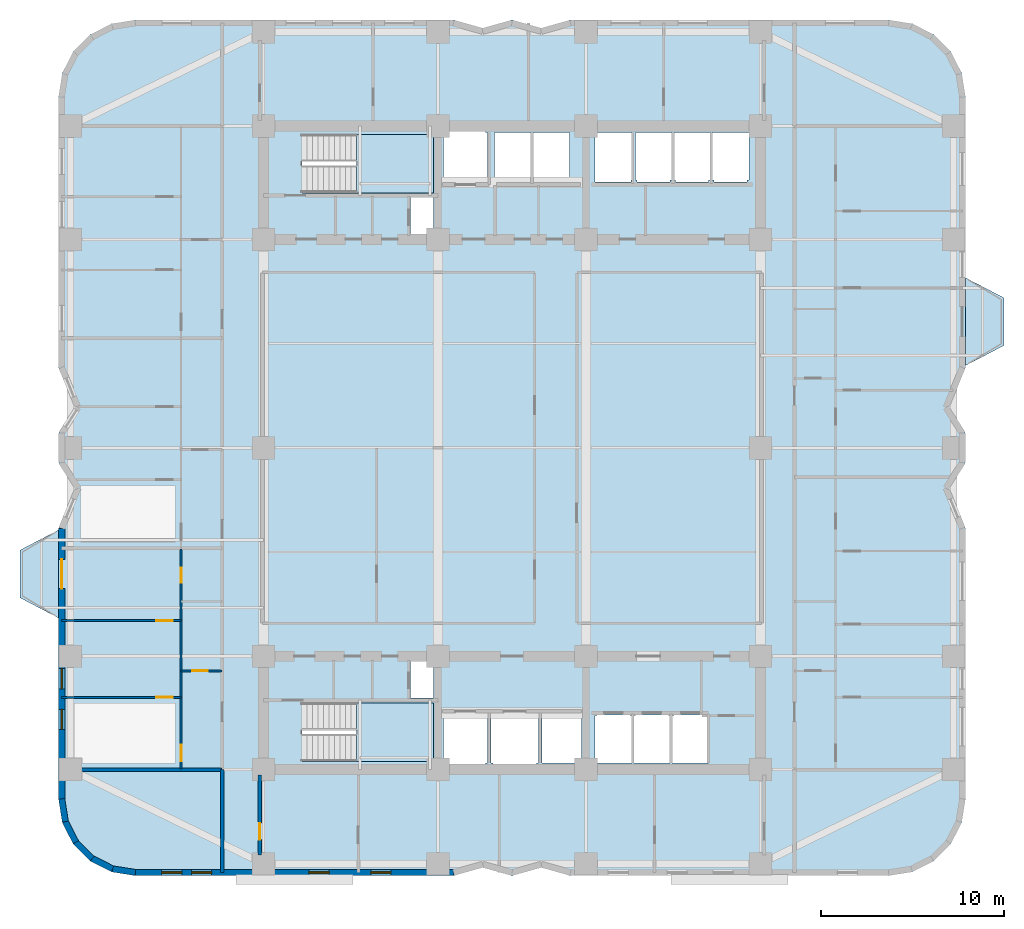
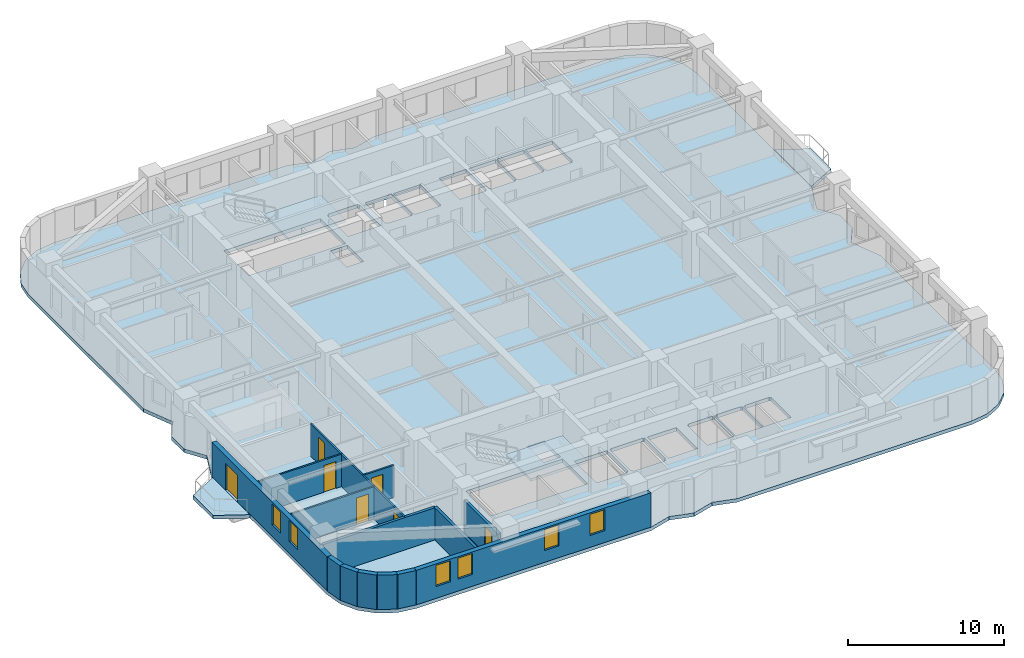
# One storey, part 2 of 11: 14 walls, 7 doors, 6 windows, 5 slabs, 13 openings, 2 elements without a shape of their own.
"""IFC4 building model written with IfcOpenShell, lengths in metres."""

from ifc_helpers import new_model, si_unit, direction, frame, frame_2d, origin, place, context, subcontext, project, spatial, polyline, rectangle, outline, extrude, material, layer, layer_set, type_object, element, fill, aggregate, save


model = new_model("IFC4")

# Units and contexts
model_context = context("Model", 3, precision=1e-05, world=origin(), true_north=direction((0.0, 1.0)))
body_context = subcontext(model_context, "Body", "Model", "MODEL_VIEW")
ifc_project = project(units=[si_unit("LENGTHUNIT", "METRE"), si_unit("AREAUNIT", "SQUARE_METRE"), si_unit("VOLUMEUNIT", "CUBIC_METRE"), si_unit("PLANEANGLEUNIT", "RADIAN"), si_unit("MASSUNIT", "GRAM", prefix="KILO")], contexts=[model_context])

# Site, building, storey
site_placement = place(None, origin())
site = spatial("IfcSite", under=ifc_project, at=site_placement, CompositionType="ELEMENT")
building_placement = place(site_placement, origin())
building = spatial("IfcBuilding", under=site, at=building_placement, Name="Svetorya Sky Lyceum", CompositionType="ELEMENT")
storey_placement = place(building_placement, frame((0.0, 0.0, 36.199951171875)))
storey = spatial("IfcBuildingStorey", under=building, at=storey_placement, Name="L08", CompositionType="ELEMENT", Elevation=36.199951171875)

# Slabs
ifc_material_1 = material(Name="Concrete C40/50", Category="concrete")
ifc_layer_1 = layer(ifc_material_1, 0.280029296875)
ifc_layer_set_1 = layer_set([ifc_layer_1], Name="Concrete C40/50")
slab_type_1 = type_object("IfcSlabType", Name="SL-BAL-280", PredefinedType="FLOOR", material=ifc_layer_set_1)
slab_1_placement = place(storey_placement, frame((0.0, 0.0, -0.280029296875)))
element("IfcSlab", 1, at=slab_1_placement, inside=storey, type_object=slab_type_1, Name="L08 Chamfered Loggia Balcony BAL-W1", PredefinedType="FLOOR", context=body_context, shape_type="SweptSolid", body=[
    extrude(outline(polyline([(14.389892578125, 18.89990234375), (14.389892578125, 23.699951171875), (12.2900390625, 22.60009765625), (12.2900390625, 20.0), (14.389892578125, 18.89990234375)])), origin(), (0.0, 0.0, 1.0), 0.280029296875),
])
slab_2_placement = place(storey_placement, frame((0.0, 0.0, -0.280029296875)))
element("IfcSlab", 2, at=slab_2_placement, inside=storey, type_object=slab_type_1, Name="L08 Chamfered Loggia Balcony BAL-E1", PredefinedType="FLOOR", context=body_context, shape_type="SweptSolid", body=[
    extrude(outline(polyline([(64.010009765625, 32.699951171875), (66.110107421875, 33.800048828125), (66.110107421875, 36.39990234375), (64.010009765625, 37.5), (64.010009765625, 32.699951171875)])), origin(), (0.0, 0.0, 1.0), 0.280029296875),
])

# Stair, slab
stair_type_1 = type_object("IfcStairType", Name="STR-ST-S", PredefinedType="HALF_TURN_STAIR", material=ifc_material_1)
stair_1_placement = place(storey_placement, origin())
stair_1 = element("IfcStair", 3, at=stair_1_placement, inside=storey, type_object=stair_type_1, Name="L08 South Core Smoke-Free Exit Stair N2", PredefinedType="HALF_TURN_STAIR")
ifc_layer_2 = layer(ifc_material_1, 0.199951171875)
ifc_layer_set_2 = layer_set([ifc_layer_2], Name="Concrete C40/50")
slab_type_2 = type_object("IfcSlabType", Name="SL-STR-LAND-200", PredefinedType="LANDING", material=ifc_layer_set_2)
slab_3_placement = place(storey_placement, frame((0.0, 0.0, 1.650146484375)))
slab_3 = element("IfcSlab", 4, at=slab_3_placement, type_object=slab_type_2, Name="ST-S landing 1", PredefinedType="LANDING", context=body_context, shape_type="SweptSolid", body=[
    extrude(outline(polyline([(30.699951171875, 11.050048828125), (34.89990234375, 11.050048828125), (34.89990234375, 14.25), (30.699951171875, 14.25), (30.699951171875, 11.050048828125)])), origin(), (0.0, 0.0, 1.0), 0.199951171875),
])
aggregate(stair_1, [slab_3])

stair_type_2 = type_object("IfcStairType", Name="STR-ST-N", PredefinedType="HALF_TURN_STAIR", material=ifc_material_1)
stair_2_placement = place(storey_placement, origin())
stair_2 = element("IfcStair", 5, at=stair_2_placement, inside=storey, type_object=stair_type_2, Name="L08 North Core Smoke-Free Exit Stair N3", PredefinedType="HALF_TURN_STAIR")
slab_4_placement = place(storey_placement, frame((0.0, 0.0, 1.650146484375)))
slab_4 = element("IfcSlab", 6, at=slab_4_placement, type_object=slab_type_2, Name="ST-N landing 1", PredefinedType="LANDING", context=body_context, shape_type="SweptSolid", body=[
    extrude(outline(polyline([(30.699951171875, 42.14990234375), (34.89990234375, 42.14990234375), (34.89990234375, 45.35009765625), (30.699951171875, 45.35009765625), (30.699951171875, 42.14990234375)])), origin(), (0.0, 0.0, 1.0), 0.199951171875),
])
aggregate(stair_2, [slab_4])

# Slab
ifc_material_2 = material(Name="Concrete C50/60", Category="concrete")
ifc_layer_3 = layer(ifc_material_2, 0.280029296875)
ifc_layer_set_3 = layer_set([ifc_layer_3], Name="Concrete C50/60")
slab_type_3 = type_object("IfcSlabType", Name="SL-TWR-280", PredefinedType="FLOOR", material=ifc_layer_set_3)
slab_5_placement = place(storey_placement, frame((0.0, 0.0, -0.280029296875)))
element("IfcSlab", 7, at=slab_5_placement, inside=storey, type_object=slab_type_3, Name="L08 Structural Floor Slab", PredefinedType="FLOOR", context=body_context, shape_type="SweptSolid", body=[
    extrude(outline(polyline([(14.39990234375, 9.0), (14.605712890625, 7.7021484375), (15.2021484375, 6.53125), (16.13134765625, 5.60205078125), (17.302001953125, 5.005615234375), (18.60009765625, 4.800048828125), (36.0, 4.800048828125), (37.60009765625, 5.25), (39.199951171875, 4.800048828125), (40.800048828125, 5.25), (42.39990234375, 4.800048828125), (59.800048828125, 4.800048828125), (61.097900390625, 5.005615234375), (62.268798828125, 5.60205078125), (63.197998046875, 6.53125), (63.79443359375, 7.7021484375), (64.0, 9.0), (64.0, 23.800048828125), (63.10009765625, 26.0), (64.0, 27.39990234375), (64.0, 29.0), (63.10009765625, 30.39990234375), (64.0, 32.60009765625), (64.0, 47.39990234375), (63.79443359375, 48.697998046875), (63.197998046875, 49.86865234375), (62.268798828125, 50.7978515625), (61.097900390625, 51.394287109375), (59.800048828125, 51.60009765625), (42.39990234375, 51.60009765625), (40.800048828125, 51.14990234375), (39.199951171875, 51.60009765625), (37.60009765625, 51.14990234375), (36.0, 51.60009765625), (18.60009765625, 51.60009765625), (17.302001953125, 51.394287109375), (16.13134765625, 50.7978515625), (15.2021484375, 49.86865234375), (14.605712890625, 48.697998046875), (14.39990234375, 47.39990234375), (14.39990234375, 32.60009765625), (15.300048828125, 30.39990234375), (14.39990234375, 29.0), (14.39990234375, 27.39990234375), (15.300048828125, 26.0), (14.39990234375, 23.800048828125), (14.39990234375, 9.0)]), holes=[polyline([(35.550048828125, 13.64990234375), (37.75, 13.64990234375), (37.85009765625, 13.64990234375), (37.85009765625, 10.949951171875), (37.75, 10.949951171875), (37.75, 10.85009765625), (35.550048828125, 10.85009765625), (35.550048828125, 10.949951171875), (35.449951171875, 10.949951171875), (35.449951171875, 13.64990234375), (35.550048828125, 13.64990234375)]), polyline([(40.64990234375, 10.949951171875), (40.550048828125, 10.949951171875), (40.550048828125, 10.800048828125), (38.14990234375, 10.800048828125), (38.14990234375, 10.949951171875), (38.050048828125, 10.949951171875), (38.050048828125, 13.64990234375), (38.14990234375, 13.64990234375), (38.14990234375, 13.699951171875), (40.550048828125, 13.699951171875), (40.550048828125, 13.64990234375), (40.64990234375, 13.64990234375), (40.64990234375, 10.949951171875)]), polyline([(40.85009765625, 13.64990234375), (43.0, 13.64990234375), (43.0, 10.949951171875), (40.85009765625, 10.949951171875), (40.85009765625, 13.64990234375)]), polyline([(27.719970703125, 14.25), (34.89990234375, 14.25), (34.89990234375, 11.050048828125), (27.719970703125, 11.050048828125), (27.719970703125, 14.25)]), polyline([(33.64990234375, 16.580078125), (34.89990234375, 16.580078125), (34.89990234375, 14.52001953125), (33.64990234375, 14.52001953125), (33.64990234375, 16.580078125)]), polyline([(33.64990234375, 39.820068359375), (33.64990234375, 41.89990234375), (34.89990234375, 41.89990234375), (34.89990234375, 39.820068359375), (33.64990234375, 39.820068359375)]), polyline([(27.719970703125, 45.35009765625), (34.89990234375, 45.35009765625), (34.89990234375, 42.14990234375), (27.719970703125, 42.14990234375), (27.719970703125, 45.35009765625)]), polyline([(35.550048828125, 42.75), (35.449951171875, 42.75), (35.449951171875, 45.449951171875), (35.550048828125, 45.449951171875), (35.550048828125, 45.550048828125), (37.75, 45.550048828125), (37.75, 45.449951171875), (37.85009765625, 45.449951171875), (37.85009765625, 42.75), (37.75, 42.75), (35.550048828125, 42.75)]), polyline([(40.199951171875, 42.85009765625), (40.199951171875, 42.75), (38.39990234375, 42.75), (38.39990234375, 42.85009765625), (38.25, 42.85009765625), (38.25, 45.449951171875), (38.39990234375, 45.449951171875), (40.199951171875, 45.449951171875), (40.25, 45.449951171875), (40.25, 42.85009765625), (40.199951171875, 42.85009765625)]), polyline([(40.39990234375, 42.85009765625), (40.35009765625, 42.85009765625), (40.35009765625, 45.449951171875), (40.39990234375, 45.449951171875), (42.300048828125, 45.449951171875), (42.35009765625, 45.449951171875), (42.35009765625, 42.85009765625), (42.300048828125, 42.85009765625), (42.300048828125, 42.75), (40.39990234375, 42.75), (40.39990234375, 42.85009765625)]), polyline([(43.85009765625, 10.949951171875), (43.75, 10.949951171875), (43.75, 13.550048828125), (43.85009765625, 13.550048828125), (43.85009765625, 13.60009765625), (45.64990234375, 13.60009765625), (45.64990234375, 13.550048828125), (45.75, 13.550048828125), (45.75, 10.949951171875), (45.64990234375, 10.949951171875), (43.85009765625, 10.949951171875)]), polyline([(45.949951171875, 10.949951171875), (45.85009765625, 10.949951171875), (45.85009765625, 13.550048828125), (45.949951171875, 13.550048828125), (45.949951171875, 13.60009765625), (47.75, 13.60009765625), (47.75, 13.550048828125), (47.85009765625, 13.550048828125), (47.85009765625, 10.949951171875), (47.75, 10.949951171875), (45.949951171875, 10.949951171875)]), polyline([(49.85009765625, 13.550048828125), (49.949951171875, 13.550048828125), (49.949951171875, 10.949951171875), (49.85009765625, 10.949951171875), (48.050048828125, 10.949951171875), (47.949951171875, 10.949951171875), (47.949951171875, 13.550048828125), (48.050048828125, 13.550048828125), (48.050048828125, 13.60009765625), (49.85009765625, 13.60009765625), (49.85009765625, 13.550048828125)]), polyline([(43.75, 42.85009765625), (43.75, 45.449951171875), (45.699951171875, 45.449951171875), (45.75, 45.449951171875), (45.75, 42.85009765625), (45.699951171875, 42.85009765625), (45.699951171875, 42.75), (43.75, 42.75), (43.75, 42.85009765625)]), polyline([(46.050048828125, 42.85009765625), (45.949951171875, 42.85009765625), (45.949951171875, 45.449951171875), (46.050048828125, 45.449951171875), (47.85009765625, 45.449951171875), (47.949951171875, 45.449951171875), (47.949951171875, 42.85009765625), (47.85009765625, 42.85009765625), (47.85009765625, 42.75), (46.050048828125, 42.75), (46.050048828125, 42.85009765625)]), polyline([(48.14990234375, 42.85009765625), (48.050048828125, 42.85009765625), (48.050048828125, 45.449951171875), (48.14990234375, 45.449951171875), (49.949951171875, 45.449951171875), (50.050048828125, 45.449951171875), (50.050048828125, 42.85009765625), (49.949951171875, 42.85009765625), (49.949951171875, 42.75), (48.14990234375, 42.75), (48.14990234375, 42.85009765625)]), polyline([(50.25, 42.85009765625), (50.14990234375, 42.85009765625), (50.14990234375, 45.449951171875), (50.25, 45.449951171875), (52.050048828125, 45.449951171875), (52.14990234375, 45.449951171875), (52.14990234375, 42.85009765625), (52.050048828125, 42.85009765625), (52.050048828125, 42.75), (50.25, 42.75), (50.25, 42.85009765625)])]), origin(), (0.0, 0.0, 1.0), 0.280029296875),
])

# Walls
ifc_material_3 = material(Name="Putilovo limestone rainscreen on autoclaved cellular masonry", Category="masonry")
ifc_layer_4 = layer(ifc_material_3, 0.340087890625)
ifc_layer_set_4 = layer_set([ifc_layer_4], Name="Putilovo limestone rainscreen on autoclaved cellular masonry")
wall_type_1 = type_object("IfcWallType", Name="WL-EXT-340", PredefinedType="SOLIDWALL", material=ifc_layer_set_4)
wall_1_placement = place(storey_placement, frame((14.570068359375, 9.0, 0.0), z_axis=(0.0, 0.0, 1.0), x_axis=(0.156260864002, -0.98771582066, 0.0)))
element("IfcWall", 8, at=wall_1_placement, inside=storey, type_object=wall_type_1, Name="L08 Limestone Exterior Wall 1M", PredefinedType="SOLIDWALL", context=body_context, shape_type="SweptSolid", body=[
    extrude(rectangle(XDim=1.2607421875, YDim=0.340087890625, at=frame_2d((0.63037109375, 0.0))), origin(), (0.0, 0.0, 1.0), 2.699951171875),
])
wall_2_placement = place(storey_placement, frame((14.76708984375, 7.754638671875, 0.0), z_axis=(0.0, 0.0, 1.0), x_axis=(0.454015689056, -0.890993689142, 0.0)))
element("IfcWall", 9, at=wall_2_placement, inside=storey, type_object=wall_type_1, Name="L08 Limestone Exterior Wall 2M", PredefinedType="SOLIDWALL", context=body_context, shape_type="SweptSolid", body=[
    extrude(rectangle(XDim=1.260986328125, YDim=0.340087890625, at=frame_2d((0.63037109375, 0.0))), origin(), (0.0, 0.0, 1.0), 2.699951171875),
])
wall_3_placement = place(storey_placement, frame((15.339599609375, 6.631103515625, 0.0), z_axis=(0.0, 0.0, 1.0), x_axis=(0.707203598708, -0.707009950407, 0.0)))
element("IfcWall", 10, at=wall_3_placement, inside=storey, type_object=wall_type_1, Name="L08 Limestone Exterior Wall 3M", PredefinedType="SOLIDWALL", context=body_context, shape_type="SweptSolid", body=[
    extrude(rectangle(XDim=1.2607421875, YDim=0.340087890625, at=frame_2d((0.63037109375, 0.0))), origin(), (0.0, 0.0, 1.0), 2.699951171875),
])
for number, where, z_axis, x_axis, name in (
    (11, (16.231201171875, 5.73974609375, 0.0), (0.0, 0.0, 1.0), (0.890993689142, -0.454015689056, 0.0), "L08 Limestone Exterior Wall 4M"),
    (12, (17.354736328125, 5.167236328125, 0.0), (0.0, 0.0, 1.0), (0.987685918112, -0.15644975923, 0.0), "L08 Limestone Exterior Wall 5M"),
):
    element("IfcWall", number, at=place(storey_placement, frame(where, z_axis=z_axis, x_axis=x_axis)), inside=storey, type_object=wall_type_1, Name=name, PredefinedType="SOLIDWALL", context=body_context, shape_type="SweptSolid", body=[
        extrude(rectangle(XDim=1.260986328125, YDim=0.340087890625, at=frame_2d((0.63037109375, 0.0))), origin(), (0.0, 0.0, 1.0), 2.699951171875),
    ])

# Wall, openings, windows
wall_4_placement = place(storey_placement, frame((18.60009765625, 4.969970703125, 0.0), z_axis=(0.0, 0.0, 1.0), x_axis=(1.0, 0.0, 0.0)))
wall_4 = element("IfcWall", 13, at=wall_4_placement, inside=storey, type_object=wall_type_1, Name="L08 Limestone Exterior Wall 6M", PredefinedType="SOLIDWALL", context=body_context, shape_type="SweptSolid", body=[
    extrude(rectangle(XDim=17.39990234375, YDim=0.340087890625, at=frame_2d((8.699951171875, 0.0))), origin(), (0.0, 0.0, 1.0), 2.699951171875),
])
opening_1_placement = place(wall_4_placement, frame((1.441650390625, 0.0, 0.929931640625)))
opening_1 = element("IfcOpeningElement", 14, at=opening_1_placement, cuts=wall_4, Name="Opening W-R3", PredefinedType="OPENING", context=body_context, shape_type="SweptSolid", body=[
    extrude(rectangle(XDim=1.10009765625, YDim=1.64990234375, at=frame_2d((0.550048828125, 0.824951171875))), frame((0.0, 0.179931640625, 0.0), z_axis=(0.0, -1.0, 0.0), x_axis=(1.0, 0.0, 0.0)), (0.0, 0.0, 1.0), 0.360107421875),
])
opening_2_placement = place(wall_4_placement, frame((3.074951171875, 0.0, 0.929931640625)))
opening_2 = element("IfcOpeningElement", 15, at=opening_2_placement, cuts=wall_4, Name="Opening W-R3", PredefinedType="OPENING", context=body_context, shape_type="SweptSolid", body=[
    extrude(rectangle(XDim=1.10009765625, YDim=1.64990234375, at=frame_2d((0.550048828125, 0.824951171875))), frame((0.0, 0.179931640625, 0.0), z_axis=(0.0, -1.0, 0.0), x_axis=(1.0, 0.0, 0.0)), (0.0, 0.0, 1.0), 0.360107421875),
])
opening_3_placement = place(wall_4_placement, frame((9.49169921875, 0.0, 0.929931640625)))
opening_3 = element("IfcOpeningElement", 16, at=opening_3_placement, cuts=wall_4, Name="Opening W-R3", PredefinedType="OPENING", context=body_context, shape_type="SweptSolid", body=[
    extrude(rectangle(XDim=1.10009765625, YDim=1.64990234375, at=frame_2d((0.550048828125, 0.824951171875))), frame((0.0, 0.179931640625, 0.0), z_axis=(0.0, -1.0, 0.0), x_axis=(1.0, 0.0, 0.0)), (0.0, 0.0, 1.0), 0.360107421875),
])
opening_4_placement = place(wall_4_placement, frame((12.875, 0.0, 0.929931640625)))
opening_4 = element("IfcOpeningElement", 17, at=opening_4_placement, cuts=wall_4, Name="Opening W-R3", PredefinedType="OPENING", context=body_context, shape_type="SweptSolid", body=[
    extrude(rectangle(XDim=1.10009765625, YDim=1.64990234375, at=frame_2d((0.550048828125, 0.824951171875))), frame((0.0, 0.179931640625, 0.0), z_axis=(0.0, -1.0, 0.0), x_axis=(1.0, 0.0, 0.0)), (0.0, 0.0, 1.0), 0.360107421875),
])
ifc_material_4 = material(Name="Thermally broken aluminium frame with triple low-E glazing", Category="aluminium")
window_type = type_object("IfcWindowType", Name="WN-RES-110", PartitioningType="SINGLE_PANEL", PredefinedType="WINDOW", material=ifc_material_4)
window_1_placement = place(opening_1_placement, origin())
window_1 = element("IfcWindow", 18, at=window_1_placement, inside=storey, type_object=window_type, Name="L08 Facade Window W-R3.6M.1", OverallHeight=1.64990234375, OverallWidth=1.10009765625, PartitioningType="SINGLE_PANEL", PredefinedType="WINDOW", context=body_context, shape_type="SweptSolid", body=[
    extrude(rectangle(XDim=1.10009765625, YDim=1.64990234375, at=frame_2d((0.550048828125, 0.824951171875))), frame((0.0, 0.030029296875, 0.0), z_axis=(0.0, -1.0, 0.0), x_axis=(1.0, 0.0, 0.0)), (0.0, 0.0, 1.0), 0.06005859375),
])
fill(opening_1, window_1)
window_2_placement = place(opening_2_placement, origin())
window_2 = element("IfcWindow", 19, at=window_2_placement, inside=storey, type_object=window_type, Name="L08 Facade Window W-R3.6M.2", OverallHeight=1.64990234375, OverallWidth=1.10009765625, PartitioningType="SINGLE_PANEL", PredefinedType="WINDOW", context=body_context, shape_type="SweptSolid", body=[
    extrude(rectangle(XDim=1.10009765625, YDim=1.64990234375, at=frame_2d((0.550048828125, 0.824951171875))), frame((0.0, 0.030029296875, 0.0), z_axis=(0.0, -1.0, 0.0), x_axis=(1.0, 0.0, 0.0)), (0.0, 0.0, 1.0), 0.06005859375),
])
fill(opening_2, window_2)
window_3_placement = place(opening_3_placement, origin())
window_3 = element("IfcWindow", 20, at=window_3_placement, inside=storey, type_object=window_type, Name="L08 Facade Window W-R3.6M.3", OverallHeight=1.64990234375, OverallWidth=1.10009765625, PartitioningType="SINGLE_PANEL", PredefinedType="WINDOW", context=body_context, shape_type="SweptSolid", body=[
    extrude(rectangle(XDim=1.10009765625, YDim=1.64990234375, at=frame_2d((0.550048828125, 0.824951171875))), frame((0.0, 0.030029296875, 0.0), z_axis=(0.0, -1.0, 0.0), x_axis=(1.0, 0.0, 0.0)), (0.0, 0.0, 1.0), 0.06005859375),
])
fill(opening_3, window_3)
window_4_placement = place(opening_4_placement, origin())
window_4 = element("IfcWindow", 21, at=window_4_placement, inside=storey, type_object=window_type, Name="L08 Facade Window W-R3.6M.4", OverallHeight=1.64990234375, OverallWidth=1.10009765625, PartitioningType="SINGLE_PANEL", PredefinedType="WINDOW", context=body_context, shape_type="SweptSolid", body=[
    extrude(rectangle(XDim=1.10009765625, YDim=1.64990234375, at=frame_2d((0.550048828125, 0.824951171875))), frame((0.0, 0.030029296875, 0.0), z_axis=(0.0, -1.0, 0.0), x_axis=(1.0, 0.0, 0.0)), (0.0, 0.0, 1.0), 0.06005859375),
])
fill(opening_4, window_4)

# Wall, openings, door, windows
wall_5_placement = place(storey_placement, frame((14.570068359375, 23.800048828125, 0.0), z_axis=(0.0, 0.0, 1.0), x_axis=(0.0, -1.0, 0.0)))
wall_5 = element("IfcWall", 22, at=wall_5_placement, inside=storey, type_object=wall_type_1, Name="L08 Limestone Exterior Wall 46M", PredefinedType="SOLIDWALL", context=body_context, shape_type="SweptSolid", body=[
    extrude(rectangle(XDim=14.800048828125, YDim=0.340087890625, at=frame_2d((7.39990234375, 0.0))), origin(), (0.0, 0.0, 1.0), 2.699951171875),
])
opening_5_placement = place(wall_5_placement, frame((1.699951171875, 0.0, 0.0)))
opening_5 = element("IfcOpeningElement", 23, at=opening_5_placement, cuts=wall_5, Name="Opening D-BL1", PredefinedType="OPENING", context=body_context, shape_type="SweptSolid", body=[
    extrude(rectangle(XDim=1.60009765625, YDim=2.10009765625, at=frame_2d((0.800048828125, 1.050048828125))), frame((0.0, 0.179931640625, 0.0), z_axis=(0.0, -1.0, 0.0), x_axis=(1.0, 0.0, 0.0)), (0.0, 0.0, 1.0), 0.360107421875),
])
opening_6_placement = place(wall_5_placement, frame((7.679931640625, 0.0, 0.889892578125)))
opening_6 = element("IfcOpeningElement", 24, at=opening_6_placement, cuts=wall_5, Name="Opening W-R3", PredefinedType="OPENING", context=body_context, shape_type="SweptSolid", body=[
    extrude(rectangle(XDim=1.10009765625, YDim=1.64990234375, at=frame_2d((0.550048828125, 0.824951171875))), frame((0.0, 0.179931640625, 0.0), z_axis=(0.0, -1.0, 0.0), x_axis=(1.0, 0.0, 0.0)), (0.0, 0.0, 1.0), 0.360107421875),
])
opening_7_placement = place(wall_5_placement, frame((9.89990234375, 0.0, 0.929931640625)))
opening_7 = element("IfcOpeningElement", 25, at=opening_7_placement, cuts=wall_5, Name="Opening W-R3", PredefinedType="OPENING", context=body_context, shape_type="SweptSolid", body=[
    extrude(rectangle(XDim=1.10009765625, YDim=1.64990234375, at=frame_2d((0.550048828125, 0.824951171875))), frame((0.0, 0.179931640625, 0.0), z_axis=(0.0, -1.0, 0.0), x_axis=(1.0, 0.0, 0.0)), (0.0, 0.0, 1.0), 0.360107421875),
])
ifc_material_5 = material(Name="Insulated glazed aluminium balcony door", Category="aluminium")
door_type_1 = type_object("IfcDoorType", Name="DR-BAL-1600", OperationType="DOUBLE_DOOR_SINGLE_SWING", PredefinedType="DOOR", material=ifc_material_5)
door_1_placement = place(opening_5_placement, origin())
door_1 = element("IfcDoor", 26, at=door_1_placement, inside=storey, type_object=door_type_1, Name="L08 Balcony BAL-W1 Door", OperationType="DOUBLE_DOOR_SINGLE_SWING", OverallHeight=2.10009765625, OverallWidth=1.60009765625, PredefinedType="DOOR", context=body_context, shape_type="SweptSolid", body=[
    extrude(rectangle(XDim=1.60009765625, YDim=2.10009765625, at=frame_2d((0.800048828125, 1.050048828125))), frame((0.0, 0.02490234375, 0.0), z_axis=(0.0, -1.0, 0.0), x_axis=(1.0, 0.0, 0.0)), (0.0, 0.0, 1.0), 0.050048828125),
])
fill(opening_5, door_1)
window_5_placement = place(opening_6_placement, origin())
window_5 = element("IfcWindow", 27, at=window_5_placement, inside=storey, type_object=window_type, Name="L08 Facade Window W-R3.46M.2", OverallHeight=1.64990234375, OverallWidth=1.10009765625, PartitioningType="SINGLE_PANEL", PredefinedType="WINDOW", context=body_context, shape_type="SweptSolid", body=[
    extrude(rectangle(XDim=1.10009765625, YDim=1.64990234375, at=frame_2d((0.550048828125, 0.824951171875))), frame((0.0, 0.030029296875, 0.0), z_axis=(0.0, -1.0, 0.0), x_axis=(1.0, 0.0, 0.0)), (0.0, 0.0, 1.0), 0.06005859375),
])
fill(opening_6, window_5)
window_6_placement = place(opening_7_placement, origin())
window_6 = element("IfcWindow", 28, at=window_6_placement, inside=storey, type_object=window_type, Name="L08 Facade Window W-R3.46M.1", OverallHeight=1.64990234375, OverallWidth=1.10009765625, PartitioningType="SINGLE_PANEL", PredefinedType="WINDOW", context=body_context, shape_type="SweptSolid", body=[
    extrude(rectangle(XDim=1.10009765625, YDim=1.64990234375, at=frame_2d((0.550048828125, 0.824951171875))), frame((0.0, 0.030029296875, 0.0), z_axis=(0.0, -1.0, 0.0), x_axis=(1.0, 0.0, 0.0)), (0.0, 0.0, 1.0), 0.06005859375),
])
fill(opening_7, window_6)

# Wall, opening, door
ifc_material_6 = material(Name="Twin-stud galvanized framing with double fireboard", Category="gypsum")
ifc_layer_5 = layer(ifc_material_6, 0.1201171875)
ifc_layer_set_5 = layer_set([ifc_layer_5], Name="Twin-stud galvanized framing with double fireboard")
wall_type_2 = type_object("IfcWallType", Name="WL-PART-120", PredefinedType="PARTITIONING", material=ifc_layer_set_5)
wall_6_placement = place(storey_placement, frame((21.10009765625, 16.0, 0.0), z_axis=(0.0, 0.0, 1.0), x_axis=(1.0, 0.0, 0.0)))
wall_6 = element("IfcWall", 29, at=wall_6_placement, inside=storey, type_object=wall_type_2, Name="L08 Interior Partition W1-WH1", PredefinedType="PARTITIONING", context=body_context, shape_type="SweptSolid", body=[
    extrude(rectangle(XDim=2.25, YDim=0.1201171875, at=frame_2d((1.125, 0.0))), origin(), (0.0, 0.0, 1.0), 2.530029296875),
])
opening_8_placement = place(wall_6_placement, frame((0.60009765625, 0.0, 0.0)))
opening_8 = element("IfcOpeningElement", 30, at=opening_8_placement, cuts=wall_6, Name="Opening D-BT1", PredefinedType="OPENING", context=body_context, shape_type="SweptSolid", body=[
    extrude(rectangle(XDim=0.85009765625, YDim=2.10009765625, at=frame_2d((0.425048828125, 1.050048828125))), frame((0.0, 0.070068359375, 0.0), z_axis=(0.0, -1.0, 0.0), x_axis=(1.0, 0.0, 0.0)), (0.0, 0.0, 1.0), 0.14013671875),
])
ifc_material_7 = material(Name="Moisture-resistant laminate bathroom door")
door_type_2 = type_object("IfcDoorType", Name="DR-WET-850", OperationType="SINGLE_SWING_LEFT", PredefinedType="DOOR", material=ifc_material_7)
door_2_placement = place(opening_8_placement, origin())
door_2 = element("IfcDoor", 31, at=door_2_placement, inside=storey, type_object=door_type_2, Name="Apartment W1 Bathroom Door", OperationType="SINGLE_SWING_LEFT", OverallHeight=2.10009765625, OverallWidth=0.85009765625, PredefinedType="DOOR", context=body_context, shape_type="SweptSolid", body=[
    extrude(rectangle(XDim=0.85009765625, YDim=2.10009765625, at=frame_2d((0.425048828125, 1.050048828125))), frame((0.0, 0.02490234375, 0.0), z_axis=(0.0, -1.0, 0.0), x_axis=(1.0, 0.0, 0.0)), (0.0, 0.0, 1.0), 0.050048828125),
])
fill(opening_8, door_2)

wall_7_placement = place(storey_placement, frame((14.570068359375, 14.550048828125, 0.0), z_axis=(0.0, 0.0, 1.0), x_axis=(1.0, 0.0, 0.0)))
wall_7 = element("IfcWall", 32, at=wall_7_placement, inside=storey, type_object=wall_type_2, Name="L08 Interior Partition W1-WL1", PredefinedType="PARTITIONING", context=body_context, shape_type="SweptSolid", body=[
    extrude(rectangle(XDim=6.530029296875, YDim=0.1201171875, at=frame_2d((3.26513671875, 0.0))), origin(), (0.0, 0.0, 1.0), 2.530029296875),
])
opening_9_placement = place(wall_7_placement, frame((5.179931640625, 0.0, 0.0)))
opening_9 = element("IfcOpeningElement", 33, at=opening_9_placement, cuts=wall_7, Name="Opening D-RM1", PredefinedType="OPENING", context=body_context, shape_type="SweptSolid", body=[
    extrude(rectangle(XDim=0.89990234375, YDim=2.10009765625, at=frame_2d((0.449951171875, 1.050048828125))), frame((0.0, 0.070068359375, 0.0), z_axis=(0.0, -1.0, 0.0), x_axis=(1.0, 0.0, 0.0)), (0.0, 0.0, 1.0), 0.14013671875),
])
ifc_material_8 = material(Name="Lacquered birch veneer internal door")
door_type_3 = type_object("IfcDoorType", Name="DR-INT-900", OperationType="SINGLE_SWING_LEFT", PredefinedType="DOOR", material=ifc_material_8)
door_3_placement = place(opening_9_placement, origin())
door_3 = element("IfcDoor", 34, at=door_3_placement, inside=storey, type_object=door_type_3, Name="Apartment W1 Master Bedroom Door", OperationType="SINGLE_SWING_LEFT", OverallHeight=2.10009765625, OverallWidth=0.89990234375, PredefinedType="DOOR", context=body_context, shape_type="SweptSolid", body=[
    extrude(rectangle(XDim=0.89990234375, YDim=2.10009765625, at=frame_2d((0.449951171875, 1.050048828125))), frame((0.0, 0.02490234375, 0.0), z_axis=(0.0, -1.0, 0.0), x_axis=(1.0, 0.0, 0.0)), (0.0, 0.0, 1.0), 0.050048828125),
])
fill(opening_9, door_3)

wall_8_placement = place(storey_placement, frame((14.570068359375, 18.75, 0.0), z_axis=(0.0, 0.0, 1.0), x_axis=(1.0, 0.0, 0.0)))
wall_8 = element("IfcWall", 35, at=wall_8_placement, inside=storey, type_object=wall_type_2, Name="L08 Interior Partition W1-WL2", PredefinedType="PARTITIONING", context=body_context, shape_type="SweptSolid", body=[
    extrude(rectangle(XDim=6.530029296875, YDim=0.1201171875, at=frame_2d((3.26513671875, 0.0))), origin(), (0.0, 0.0, 1.0), 2.530029296875),
])
opening_10_placement = place(wall_8_placement, frame((5.179931640625, 0.0, 0.0)))
opening_10 = element("IfcOpeningElement", 36, at=opening_10_placement, cuts=wall_8, Name="Opening D-RM1", PredefinedType="OPENING", context=body_context, shape_type="SweptSolid", body=[
    extrude(rectangle(XDim=0.89990234375, YDim=2.10009765625, at=frame_2d((0.449951171875, 1.050048828125))), frame((0.0, 0.070068359375, 0.0), z_axis=(0.0, -1.0, 0.0), x_axis=(1.0, 0.0, 0.0)), (0.0, 0.0, 1.0), 0.14013671875),
])
door_4_placement = place(opening_10_placement, origin())
door_4 = element("IfcDoor", 37, at=door_4_placement, inside=storey, type_object=door_type_3, Name="Apartment W1 Bedroom 2 Door", OperationType="SINGLE_SWING_RIGHT", OverallHeight=2.10009765625, OverallWidth=0.89990234375, PredefinedType="DOOR", context=body_context, shape_type="SweptSolid", body=[
    extrude(rectangle(XDim=0.89990234375, YDim=2.10009765625, at=frame_2d((0.449951171875, 1.050048828125))), frame((0.0, 0.02490234375, 0.0), z_axis=(0.0, -1.0, 0.0), x_axis=(1.0, 0.0, 0.0)), (0.0, 0.0, 1.0), 0.050048828125),
])
fill(opening_10, door_4)

# Wall, openings, doors
wall_9_placement = place(storey_placement, frame((21.10009765625, 10.639892578125, 0.0), z_axis=(0.0, 0.0, 1.0), x_axis=(0.0, 1.0, 0.0)))
wall_9 = element("IfcWall", 38, at=wall_9_placement, inside=storey, type_object=wall_type_2, Name="L08 Interior Partition W1-WV", PredefinedType="PARTITIONING", context=body_context, shape_type="SweptSolid", body=[
    extrude(rectangle(XDim=12.02001953125, YDim=0.1201171875, at=frame_2d((6.010009765625, 0.0))), origin(), (0.0, 0.0, 1.0), 2.530029296875),
])
opening_11_placement = place(wall_9_placement, frame((0.409912109375, 0.0, 0.0)))
opening_11 = element("IfcOpeningElement", 39, at=opening_11_placement, cuts=wall_9, Name="Opening D-RM1", PredefinedType="OPENING", context=body_context, shape_type="SweptSolid", body=[
    extrude(rectangle(XDim=0.89990234375, YDim=2.10009765625, at=frame_2d((0.449951171875, 1.050048828125))), frame((0.0, 0.070068359375, 0.0), z_axis=(0.0, -1.0, 0.0), x_axis=(1.0, 0.0, 0.0)), (0.0, 0.0, 1.0), 0.14013671875),
])
opening_12_placement = place(wall_9_placement, frame((10.18505859375, 0.0, 0.0)))
opening_12 = element("IfcOpeningElement", 40, at=opening_12_placement, cuts=wall_9, Name="Opening D-BT2", PredefinedType="OPENING", context=body_context, shape_type="SweptSolid", body=[
    extrude(rectangle(XDim=0.820068359375, YDim=2.080078125, at=frame_2d((0.41015625, 1.0400390625))), frame((0.0, 0.070068359375, 0.0), z_axis=(0.0, -1.0, 0.0), x_axis=(1.0, 0.0, 0.0)), (0.0, 0.0, 1.0), 0.14013671875),
])
door_5_placement = place(opening_11_placement, origin())
door_5 = element("IfcDoor", 41, at=door_5_placement, inside=storey, type_object=door_type_3, Name="Apartment W1 Living Door", OperationType="SINGLE_SWING_RIGHT", OverallHeight=2.10009765625, OverallWidth=0.89990234375, PredefinedType="DOOR", context=body_context, shape_type="SweptSolid", body=[
    extrude(rectangle(XDim=0.89990234375, YDim=2.10009765625, at=frame_2d((0.449951171875, 1.050048828125))), frame((0.0, 0.02490234375, 0.0), z_axis=(0.0, -1.0, 0.0), x_axis=(1.0, 0.0, 0.0)), (0.0, 0.0, 1.0), 0.050048828125),
])
fill(opening_11, door_5)
ifc_material_9 = material(Name="Compact moisture-resistant laminate closet door")
door_type_4 = type_object("IfcDoorType", Name="DR-WET-820", OperationType="SINGLE_SWING_LEFT", PredefinedType="DOOR", material=ifc_material_9)
door_6_placement = place(opening_12_placement, origin())
door_6 = element("IfcDoor", 42, at=door_6_placement, inside=storey, type_object=door_type_4, Name="Apartment W1 Study Door", OperationType="SINGLE_SWING_LEFT", OverallHeight=2.080078125, OverallWidth=0.820068359375, PredefinedType="DOOR", context=body_context, shape_type="SweptSolid", body=[
    extrude(rectangle(XDim=0.820068359375, YDim=2.080078125, at=frame_2d((0.41015625, 1.0400390625))), frame((0.0, 0.02490234375, 0.0), z_axis=(0.0, -1.0, 0.0), x_axis=(1.0, 0.0, 0.0)), (0.0, 0.0, 1.0), 0.050048828125),
])
fill(opening_12, door_6)

# Walls
ifc_material_10 = material(Name="Autoclaved cellular masonry blockwork with gypsum plaster", Category="masonry")
ifc_layer_6 = layer(ifc_material_10, 0.199951171875)
ifc_layer_set_6 = layer_set([ifc_layer_6], Name="Autoclaved cellular masonry blockwork with gypsum plaster")
wall_type_3 = type_object("IfcWallType", Name="WL-PART-200", PredefinedType="PARTITIONING", material=ifc_layer_set_6)
wall_10_placement = place(storey_placement, frame((14.989990234375, 10.60009765625, 0.0), z_axis=(0.0, 0.0, 1.0), x_axis=(1.0, 0.0, 0.0)))
element("IfcWall", 43, at=wall_10_placement, inside=storey, type_object=wall_type_3, Name="L08 Interior Partition W-CAP-S", PredefinedType="PARTITIONING", context=body_context, shape_type="SweptSolid", body=[
    extrude(rectangle(XDim=8.360107421875, YDim=0.199951171875, at=frame_2d((4.18017578125, 0.0))), origin(), (0.0, 0.0, 1.0), 2.530029296875),
])
wall_11_placement = place(storey_placement, frame((23.35009765625, 4.969970703125, 0.0), z_axis=(0.0, 0.0, 1.0), x_axis=(0.0, 1.0, 0.0)))
element("IfcWall", 44, at=wall_11_placement, inside=storey, type_object=wall_type_3, Name="L08 Interior Partition WC-SW-END", PredefinedType="PARTITIONING", context=body_context, shape_type="SweptSolid", body=[
    extrude(rectangle(XDim=5.630126953125, YDim=0.199951171875, at=frame_2d((2.81494140625, 0.0))), origin(), (0.0, 0.0, 1.0), 2.530029296875),
])

# Wall, opening, door
wall_12_placement = place(storey_placement, frame((25.39990234375, 5.919921875, 0.0), z_axis=(0.0, 0.0, 1.0), x_axis=(0.0, 1.0, 0.0)))
wall_12 = element("IfcWall", 45, at=wall_12_placement, inside=storey, type_object=wall_type_3, Name="L08 Interior Partition S4-EW", PredefinedType="PARTITIONING", context=body_context, shape_type="SweptSolid", body=[
    extrude(rectangle(XDim=4.380126953125, YDim=0.199951171875, at=frame_2d((2.18994140625, 0.0))), origin(), (0.0, 0.0, 1.0), 2.530029296875),
])
opening_13_placement = place(wall_12_placement, frame((0.85009765625, 0.0, 0.0)))
opening_13 = element("IfcOpeningElement", 46, at=opening_13_placement, cuts=wall_12, Name="Opening D-RM1", PredefinedType="OPENING", context=body_context, shape_type="SweptSolid", body=[
    extrude(rectangle(XDim=0.89990234375, YDim=2.10009765625, at=frame_2d((0.449951171875, 1.050048828125))), frame((0.0, 0.10986328125, 0.0), z_axis=(0.0, -1.0, 0.0), x_axis=(1.0, 0.0, 0.0)), (0.0, 0.0, 1.0), 0.219970703125),
])
door_7_placement = place(opening_13_placement, origin())
door_7 = element("IfcDoor", 47, at=door_7_placement, inside=storey, type_object=door_type_3, Name="L08 SW Office Door", OperationType="SINGLE_SWING_LEFT", OverallHeight=2.10009765625, OverallWidth=0.89990234375, PredefinedType="DOOR", context=body_context, shape_type="SweptSolid", body=[
    extrude(rectangle(XDim=0.89990234375, YDim=2.10009765625, at=frame_2d((0.449951171875, 1.050048828125))), frame((0.0, 0.02490234375, 0.0), z_axis=(0.0, -1.0, 0.0), x_axis=(1.0, 0.0, 0.0)), (0.0, 0.0, 1.0), 0.050048828125),
])
fill(opening_13, door_7)

save(model, "model.ifc")
